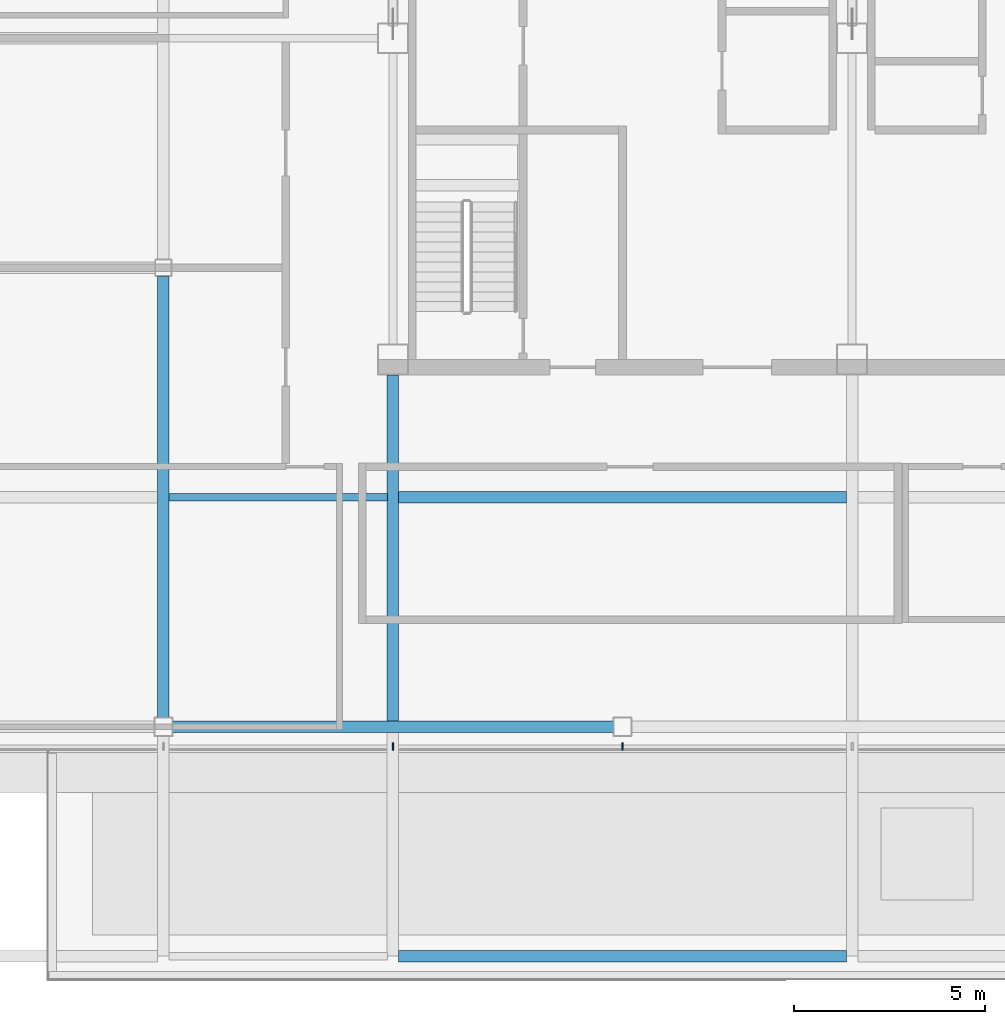
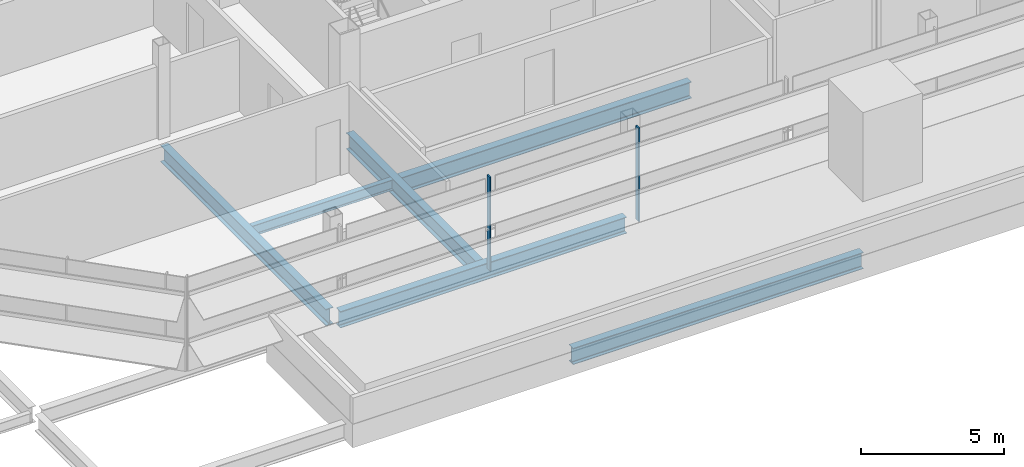
# One storey, part 4 of 26: 6 beams, 2 members, 1 element without a shape of its own.
"""IFC4 building model written with IfcOpenShell, lengths in metres."""

from ifc_helpers import new_model, si_unit, direction, frame, origin, origin_2d, place, context, subcontext, project, spatial, rectangle, i_section, extrude, material, material_profile, profile_set, type_object, element, aggregate, save


model = new_model("IFC4")

# Units and contexts
model_context = context("Model", 3, precision=1e-05, world=origin(), true_north=direction((0.0, 1.0)))
body_context = subcontext(model_context, "Body", "Model", "MODEL_VIEW")
ifc_project = project(units=[si_unit("LENGTHUNIT", "METRE"), si_unit("AREAUNIT", "SQUARE_METRE"), si_unit("VOLUMEUNIT", "CUBIC_METRE"), si_unit("PLANEANGLEUNIT", "RADIAN"), si_unit("MASSUNIT", "GRAM", prefix="KILO")], contexts=[model_context])

# Site, building, storey
site_placement = place(None, origin())
site = spatial("IfcSite", under=ifc_project, at=site_placement, CompositionType="ELEMENT")
building_placement = place(site_placement, origin())
building = spatial("IfcBuilding", under=site, at=building_placement, Name="Sorahane Residences", CompositionType="ELEMENT")
storey_placement = place(building_placement, frame((0.0, 0.0, 337.800048828125)))
storey = spatial("IfcBuildingStorey", under=building, at=storey_placement, Name="L80", CompositionType="ELEMENT", Elevation=337.800048828125)

# Curtain wall, members
ifc_material_1 = material(Name="Dark low-e glass and black anodised aluminium", Category="aluminium")
curtain_wall_type = type_object("IfcCurtainWallType", Name="Curtain wall CW-6 Crown unitised wall", PredefinedType="NOTDEFINED", material=ifc_material_1)
curtain_wall_placement = place(storey_placement, origin())
curtain_wall = element("IfcCurtainWall", 1, at=curtain_wall_placement, inside=storey, type_object=curtain_wall_type, Name="CW-6 curtain wall L80 S1", PredefinedType="NOTDEFINED")
ifc_material_2 = material(Name="Black anodised aluminium", Category="aluminium")
ifc_material_profile_1 = material_profile(ifc_material_2, rectangle(XDim=0.199951171875, YDim=0.050048828125, at=origin_2d()), Name="Curtain wall mullion CW-6 black anodised aluminium 50x200")
ifc_profile_set_1 = profile_set([ifc_material_profile_1], Name="Black anodised aluminium")
member_type = type_object("IfcMemberType", Name="Curtain wall mullion CW-6 black anodised aluminium 50x200", PredefinedType="MULLION", material=ifc_profile_set_1)
member_1_placement = place(storey_placement, frame((6.0, 11.47998046875, -0.25), z_axis=(0.0, 0.0, 1.0), x_axis=(0.0, -1.0, 0.0)))
member_1 = element("IfcMember", 2, at=member_1_placement, type_object=member_type, Name="CW-6 mullion L80 S1.3", PredefinedType="MULLION", context=body_context, shape_type="SweptSolid", body=[
    extrude(rectangle(XDim=0.199951171875, YDim=0.050048828125, at=origin_2d()), origin(), (0.0, 0.0, 1.0), 4.0),
])
member_2_placement = place(storey_placement, frame((12.0, 11.47998046875, -0.25), z_axis=(0.0, 0.0, 1.0), x_axis=(0.0, -1.0, 0.0)))
member_2 = element("IfcMember", 3, at=member_2_placement, type_object=member_type, Name="CW-6 mullion L80 S1.4", PredefinedType="MULLION", context=body_context, shape_type="SweptSolid", body=[
    extrude(rectangle(XDim=0.199951171875, YDim=0.050048828125, at=origin_2d()), origin(), (0.0, 0.0, 1.0), 4.0),
])
aggregate(curtain_wall, [member_1, member_2])

# Beams
ifc_material_3 = material(Name="Steel Q355B", Category="steel")
ifc_material_profile_2 = material_profile(ifc_material_3, i_section(OverallWidth=0.199951171875, OverallDepth=0.449951171875, WebThickness=0.009033203125, FlangeThickness=0.013916015625, FilletRadius=0.02001953125, at=origin_2d()), Name="HN 450x200x9x14")
ifc_profile_set_2 = profile_set([ifc_material_profile_2], Name="Steel Q355B")
beam_type_1 = type_object("IfcBeamType", Name="Steel floor beam HN 450x200x9x14 Q355B", PredefinedType="BEAM", material=ifc_profile_set_2)
beam_1_placement = place(storey_placement, frame((0.14990234375, 18.0, -0.47509765625), z_axis=(1.0, 0.0, 0.0), x_axis=(0.0, 1.0, 0.0)))
element("IfcBeam", 4, at=beam_1_placement, inside=storey, type_object=beam_type_1, Name="Beam L80 057", PredefinedType="BEAM", context=body_context, shape_type="SweptSolid", body=[
    extrude(i_section(OverallWidth=0.199951171875, OverallDepth=0.449951171875, WebThickness=0.009033203125, FlangeThickness=0.013916015625, FilletRadius=0.02001953125, at=origin_2d()), origin(), (0.0, 0.0, 1.0), 5.7001953125),
])
ifc_material_4 = material(Name="Steel Q355B", Category="steel")
ifc_material_profile_3 = material_profile(ifc_material_4, i_section(OverallWidth=0.300048828125, OverallDepth=0.699951171875, WebThickness=0.012939453125, FlangeThickness=0.02392578125, FilletRadius=0.028076171875, at=origin_2d()), Name="HN 700x300x13x24")
ifc_profile_set_3 = profile_set([ifc_material_profile_3], Name="Steel Q355B")
beam_type_2 = type_object("IfcBeamType", Name="Steel floor beam HN 700x300x13x24 Q355B", PredefinedType="BEAM", material=ifc_profile_set_3)
for number, where, z_axis, x_axis, name in (
    (5, (0.22509765625, 12.0, -0.60009765625), (1.0, 0.0, 0.0), (0.0, 1.0, 0.0), "Beam L80 002"),
    (6, (0.0, 12.22509765625, -0.60009765625), (0.0, 1.0, 0.0), (-1.0, 0.0, 0.0), "Beam L80 018"),
):
    element("IfcBeam", number, at=place(storey_placement, frame(where, z_axis=z_axis, x_axis=x_axis)), inside=storey, type_object=beam_type_2, Name=name, PredefinedType="BEAM", context=body_context, shape_type="SweptSolid", body=[
        extrude(i_section(OverallWidth=0.300048828125, OverallDepth=0.699951171875, WebThickness=0.012939453125, FlangeThickness=0.02392578125, FilletRadius=0.028076171875, at=origin_2d()), origin(), (0.0, 0.0, 1.0), 11.5498046875),
    ])
beam_2_placement = place(storey_placement, frame((6.0, 12.14990234375, -0.60009765625), z_axis=(0.0, 1.0, 0.0), x_axis=(-1.0, 0.0, 0.0)))
element("IfcBeam", 7, at=beam_2_placement, inside=storey, type_object=beam_type_2, Name="Beam L80 022", PredefinedType="BEAM", context=body_context, shape_type="SweptSolid", body=[
    extrude(i_section(OverallWidth=0.300048828125, OverallDepth=0.699951171875, WebThickness=0.012939453125, FlangeThickness=0.02392578125, FilletRadius=0.028076171875, at=origin_2d()), origin(), (0.0, 0.0, 1.0), 9.050048828125),
])
for number, where, z_axis, x_axis, name in (
    (8, (6.14990234375, 6.0, -0.60009765625), (1.0, 0.0, 0.0), (0.0, 1.0, 0.0), "Beam L80 053"),
    (9, (6.14990234375, 18.0, -0.60009765625), (1.0, 0.0, 0.0), (0.0, 1.0, 0.0), "Beam L80 058"),
):
    element("IfcBeam", number, at=place(storey_placement, frame(where, z_axis=z_axis, x_axis=x_axis)), inside=storey, type_object=beam_type_2, Name=name, PredefinedType="BEAM", context=body_context, shape_type="SweptSolid", body=[
        extrude(i_section(OverallWidth=0.300048828125, OverallDepth=0.699951171875, WebThickness=0.012939453125, FlangeThickness=0.02392578125, FilletRadius=0.028076171875, at=origin_2d()), origin(), (0.0, 0.0, 1.0), 11.7001953125),
    ])

save(model, "model.ifc")
